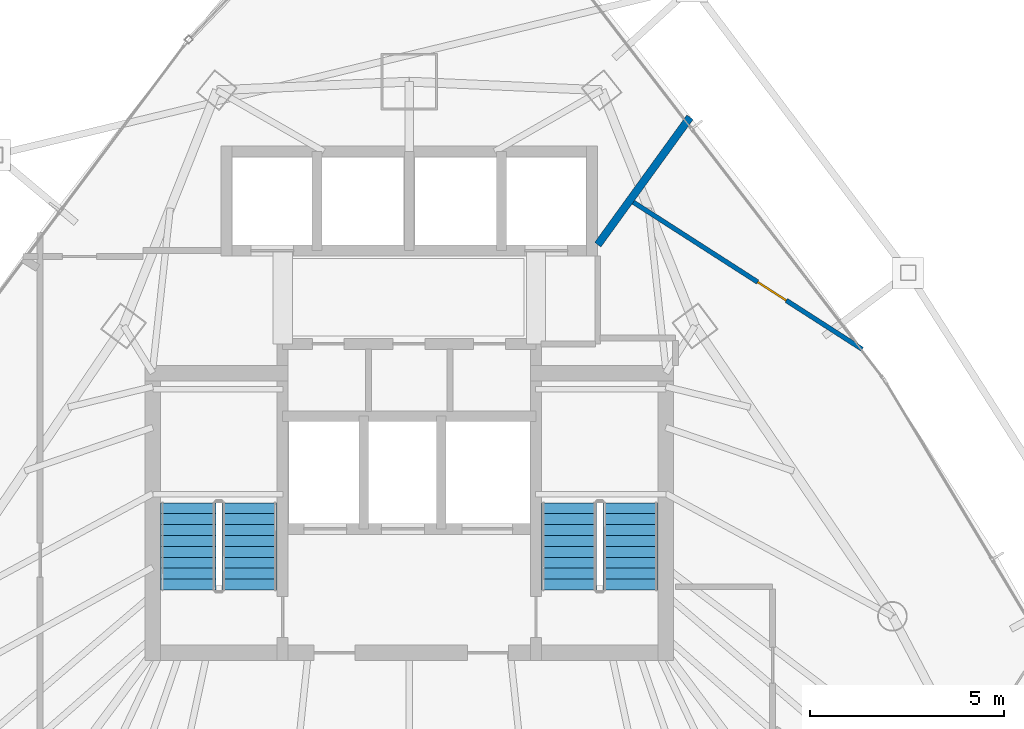
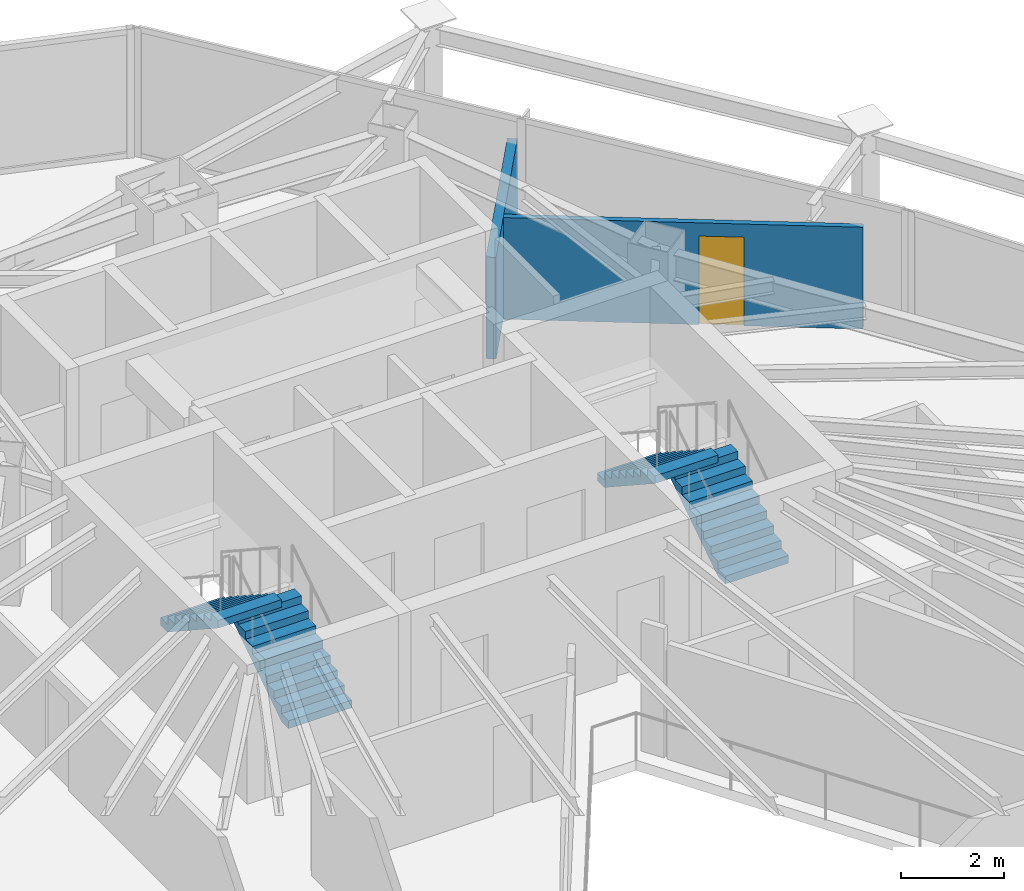
# One storey, part 26 of 29: 4 stair flights, 2 walls, 1 door, 1 opening, 2 elements without a shape of their own.
"""IFC4 building model written with IfcOpenShell, lengths in metres."""

from ifc_helpers import new_model, si_unit, direction, frame, frame_2d, origin, place, context, subcontext, project, spatial, polyline, rectangle, outline, extrude, material, layer, layer_set, type_object, element, fill, aggregate, save


model = new_model("IFC4")

# Units and contexts
model_context = context("Model", 3, precision=1e-05, world=origin(), true_north=direction((0.0, 1.0)))
body_context = subcontext(model_context, "Body", "Model", "MODEL_VIEW")
ifc_project = project(units=[si_unit("LENGTHUNIT", "METRE"), si_unit("AREAUNIT", "SQUARE_METRE"), si_unit("VOLUMEUNIT", "CUBIC_METRE"), si_unit("PLANEANGLEUNIT", "RADIAN"), si_unit("MASSUNIT", "GRAM", prefix="KILO")], contexts=[model_context])

# Site, building, storey
site_placement = place(None, origin())
site = spatial("IfcSite", under=ifc_project, at=site_placement, CompositionType="ELEMENT")
building_placement = place(site_placement, origin())
building = spatial("IfcBuilding", under=site, at=building_placement, Name="Orvanel Arch Residences", CompositionType="ELEMENT")
storey_placement = place(building_placement, frame((0.0, 0.0, 177.050048828125)))
storey = spatial("IfcBuildingStorey", under=building, at=storey_placement, Name="L50", CompositionType="ELEMENT", Elevation=177.050048828125)

# Wall
ifc_material_1 = material(Name="Fire-rated plasterboard lined steel stud partition", Category="steel")
ifc_layer_1 = layer(ifc_material_1, 0.199951171875)
ifc_layer_set_1 = layer_set([ifc_layer_1], Name="Fire-rated plasterboard lined steel stud partition")
wall_type_1 = type_object("IfcWallType", Name="W-DEM-200", PredefinedType="PARTITIONING", material=ifc_layer_set_1)
wall_1_placement = place(storey_placement, frame((37.85009765625, 37.202880859375, 0.0), z_axis=(0.0, 0.0, 1.0), x_axis=(0.586236886407, 0.810139687348, 0.0)))
element("IfcWall", 1, at=wall_1_placement, inside=storey, type_object=wall_type_1, Name="L50 Inter-Tenancy Acoustic Demising Wall", PredefinedType="PARTITIONING", context=body_context, shape_type="SweptSolid", body=[
    extrude(rectangle(XDim=4.047607421875, YDim=0.199951171875, at=frame_2d((2.02392578125, 0.0))), origin(), (0.0, 0.0, 1.0), 2.412841796875),
])

# Wall, opening, door
ifc_material_2 = material(Name="Acoustic plasterboard lined twin-stud partition", Category="gypsum")
ifc_layer_2 = layer(ifc_material_2, 0.1201171875)
ifc_layer_set_2 = layer_set([ifc_layer_2], Name="Acoustic plasterboard lined twin-stud partition")
wall_type_2 = type_object("IfcWallType", Name="W-WET-120", PredefinedType="PARTITIONING", material=ifc_layer_set_2)
wall_2_placement = place(storey_placement, frame((38.751953125, 38.304931640625, 0.0), z_axis=(0.0, 0.0, 1.0), x_axis=(0.84140799898, -0.54040038791, 0.0)))
wall_2 = element("IfcWall", 2, at=wall_2_placement, inside=storey, type_object=wall_type_2, Name="L50 Flat D Internal Partition", PredefinedType="PARTITIONING", context=body_context, shape_type="SweptSolid", body=[
    extrude(rectangle(XDim=7.013427734375, YDim=0.1201171875, at=frame_2d((3.5068359375, 0.0))), origin(), (0.0, 0.0, 1.0), 2.412841796875),
])
opening_placement = place(wall_2_placement, frame((3.81591796875, 0.0, 0.0)))
opening = element("IfcOpeningElement", 3, at=opening_placement, cuts=wall_2, Name="Opening DI-088", PredefinedType="OPENING", context=body_context, shape_type="SweptSolid", body=[
    extrude(rectangle(XDim=0.8798828125, YDim=2.10009765625, at=frame_2d((0.43994140625, 1.050048828125))), frame((0.0, 0.070068359375, 0.0), z_axis=(0.0, -1.0, 0.0), x_axis=(1.0, 0.0, 0.0)), (0.0, 0.0, 1.0), 0.14013671875),
])
ifc_material_3 = material(Name="Solid-core European oak veneer fire door leaf", Category="wood")
door_type = type_object("IfcDoorType", Name="DR-INT-880", OperationType="NOTDEFINED", PredefinedType="DOOR", material=ifc_material_3)
door_placement = place(opening_placement, origin())
door = element("IfcDoor", 4, at=door_placement, inside=storey, type_object=door_type, Name="DR-L50-D-KIT L50 Flat D Kitchen Door", OperationType="SINGLE_SWING_LEFT", OverallHeight=2.10009765625, OverallWidth=0.8798828125, PredefinedType="DOOR", context=body_context, shape_type="SweptSolid", body=[
    extrude(rectangle(XDim=0.8798828125, YDim=2.10009765625, at=frame_2d((0.43994140625, 1.050048828125))), frame((0.0, 0.02490234375, 0.0), z_axis=(0.0, -1.0, 0.0), x_axis=(1.0, 0.0, 0.0)), (0.0, 0.0, 1.0), 0.050048828125),
])
fill(opening, door)

# Stair, stair flights
ifc_material_4 = material(Name="Precast concrete N50 (50 MPa)", Category="concrete")
stair_type = type_object("IfcStairType", Name="STR-DOG-184", PredefinedType="USERDEFINED", material=ifc_material_4)
stair_1_placement = place(storey_placement, origin())
stair_1 = element("IfcStair", 5, at=stair_1_placement, inside=storey, type_object=stair_type, Name="L50 Fire-Isolated Core Exit Stair 1", ObjectType="TWO_RETURN_STAIR", PredefinedType="USERDEFINED")
stair_flight_type_1 = type_object("IfcStairFlightType", Name="SFL-C1-184", PredefinedType="STRAIGHT", material=ifc_material_4)
stair_flight_1_placement = place(storey_placement, frame((28.889892578125, 28.320068359375, 0.0), z_axis=(0.0, 0.0, 1.0), x_axis=(0.0, 1.0, 0.0)))
stair_flight_1 = element("IfcStairFlight", 6, at=stair_flight_1_placement, type_object=stair_flight_type_1, Name="ST-1 flight 1", NumberOfRisers=9, NumberOfTreads=8, PredefinedType="STRAIGHT", RiserHeight=0.183333333, TreadLength=0.28, context=body_context, shape_type="SweptSolid", body=[
    extrude(outline(polyline([(0.0, 0.0), (0.0, 0.183349609375), (0.280029296875, 0.183349609375), (0.280029296875, 0.36669921875), (0.56005859375, 0.36669921875), (0.56005859375, 0.550048828125), (0.840087890625, 0.550048828125), (0.840087890625, 0.7333984375), (1.1201171875, 0.7333984375), (1.1201171875, 0.916748046875), (1.39990234375, 0.916748046875), (1.39990234375, 1.10009765625), (1.679931640625, 1.10009765625), (1.679931640625, 1.283447265625), (1.9599609375, 1.283447265625), (1.9599609375, 1.466552734375), (2.239990234375, 1.466552734375), (2.239990234375, 1.64990234375), (2.239990234375, 1.28759765625), (0.273681640625, 0.0), (0.0, 0.0)])), frame((0.0, 0.7099609375, 0.0), z_axis=(0.0, -1.0, 0.0), x_axis=(1.0, 0.0, 0.0)), (0.0, 0.0, 1.0), 1.419921875),
])
stair_flight_2_placement = place(storey_placement, frame((27.31005859375, 30.56005859375, 1.64990234375), z_axis=(0.0, 0.0, 1.0), x_axis=(0.0, -1.0, 0.0)))
stair_flight_2 = element("IfcStairFlight", 7, at=stair_flight_2_placement, type_object=stair_flight_type_1, Name="ST-1 flight 2", NumberOfRisers=9, NumberOfTreads=8, PredefinedType="STRAIGHT", RiserHeight=0.183333333, TreadLength=0.28, context=body_context, shape_type="SweptSolid", body=[
    extrude(outline(polyline([(0.0, 0.0), (0.0, 0.183349609375), (0.280029296875, 0.183349609375), (0.280029296875, 0.36669921875), (0.56005859375, 0.36669921875), (0.56005859375, 0.550048828125), (0.840087890625, 0.550048828125), (0.840087890625, 0.7333984375), (1.1201171875, 0.7333984375), (1.1201171875, 0.916748046875), (1.39990234375, 0.916748046875), (1.39990234375, 1.10009765625), (1.679931640625, 1.10009765625), (1.679931640625, 1.283447265625), (1.9599609375, 1.283447265625), (1.9599609375, 1.466552734375), (2.239990234375, 1.466552734375), (2.239990234375, 1.64990234375), (2.239990234375, 1.28759765625), (0.273681640625, 0.0), (0.0, 0.0)])), frame((0.0, 0.7099609375, 0.0), z_axis=(0.0, -1.0, 0.0), x_axis=(1.0, 0.0, 0.0)), (0.0, 0.0, 1.0), 1.419921875),
])
aggregate(stair_1, [stair_flight_1, stair_flight_2])

stair_2_placement = place(storey_placement, origin())
stair_2 = element("IfcStair", 8, at=stair_2_placement, inside=storey, type_object=stair_type, Name="L50 Fire-Isolated Core Exit Stair 2", ObjectType="TWO_RETURN_STAIR", PredefinedType="USERDEFINED")
stair_flight_type_2 = type_object("IfcStairFlightType", Name="SFL-C2-184", PredefinedType="STRAIGHT", material=ifc_material_4)
stair_flight_3_placement = place(storey_placement, frame((38.68994140625, 28.320068359375, 0.0), z_axis=(0.0, 0.0, 1.0), x_axis=(0.0, 1.0, 0.0)))
stair_flight_3 = element("IfcStairFlight", 9, at=stair_flight_3_placement, type_object=stair_flight_type_2, Name="ST-2 flight 1", NumberOfRisers=9, NumberOfTreads=8, PredefinedType="STRAIGHT", RiserHeight=0.183333333, TreadLength=0.28, context=body_context, shape_type="SweptSolid", body=[
    extrude(outline(polyline([(0.0, 0.0), (0.0, 0.183349609375), (0.280029296875, 0.183349609375), (0.280029296875, 0.36669921875), (0.56005859375, 0.36669921875), (0.56005859375, 0.550048828125), (0.840087890625, 0.550048828125), (0.840087890625, 0.7333984375), (1.1201171875, 0.7333984375), (1.1201171875, 0.916748046875), (1.39990234375, 0.916748046875), (1.39990234375, 1.10009765625), (1.679931640625, 1.10009765625), (1.679931640625, 1.283447265625), (1.9599609375, 1.283447265625), (1.9599609375, 1.466552734375), (2.239990234375, 1.466552734375), (2.239990234375, 1.64990234375), (2.239990234375, 1.28759765625), (0.273681640625, 0.0), (0.0, 0.0)])), frame((0.0, 0.7099609375, 0.0), z_axis=(0.0, -1.0, 0.0), x_axis=(1.0, 0.0, 0.0)), (0.0, 0.0, 1.0), 1.419921875),
])
stair_flight_4_placement = place(storey_placement, frame((37.110107421875, 30.56005859375, 1.64990234375), z_axis=(0.0, 0.0, 1.0), x_axis=(0.0, -1.0, 0.0)))
stair_flight_4 = element("IfcStairFlight", 10, at=stair_flight_4_placement, type_object=stair_flight_type_2, Name="ST-2 flight 2", NumberOfRisers=9, NumberOfTreads=8, PredefinedType="STRAIGHT", RiserHeight=0.183333333, TreadLength=0.28, context=body_context, shape_type="SweptSolid", body=[
    extrude(outline(polyline([(0.0, 0.0), (0.0, 0.183349609375), (0.280029296875, 0.183349609375), (0.280029296875, 0.36669921875), (0.56005859375, 0.36669921875), (0.56005859375, 0.550048828125), (0.840087890625, 0.550048828125), (0.840087890625, 0.7333984375), (1.1201171875, 0.7333984375), (1.1201171875, 0.916748046875), (1.39990234375, 0.916748046875), (1.39990234375, 1.10009765625), (1.679931640625, 1.10009765625), (1.679931640625, 1.283447265625), (1.9599609375, 1.283447265625), (1.9599609375, 1.466552734375), (2.239990234375, 1.466552734375), (2.239990234375, 1.64990234375), (2.239990234375, 1.28759765625), (0.273681640625, 0.0), (0.0, 0.0)])), frame((0.0, 0.7099609375, 0.0), z_axis=(0.0, -1.0, 0.0), x_axis=(1.0, 0.0, 0.0)), (0.0, 0.0, 1.0), 1.419921875),
])
aggregate(stair_2, [stair_flight_3, stair_flight_4])

save(model, "model.ifc")
